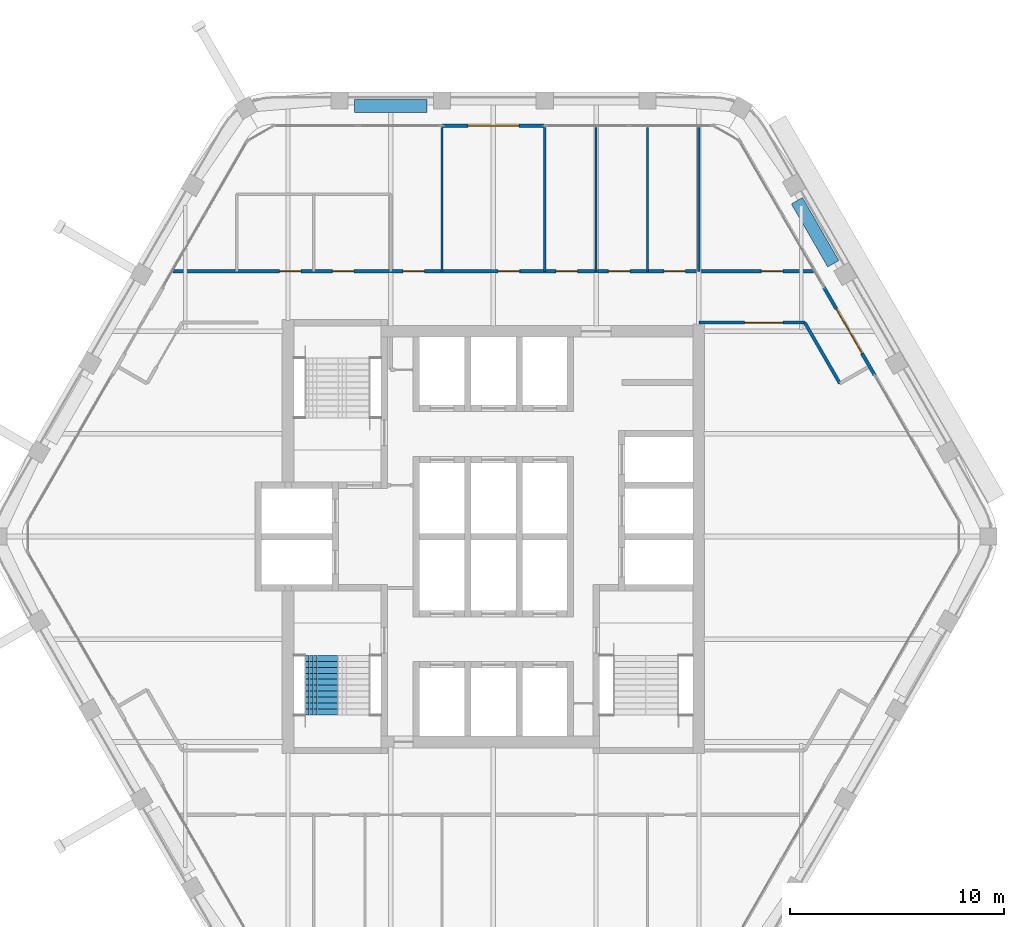
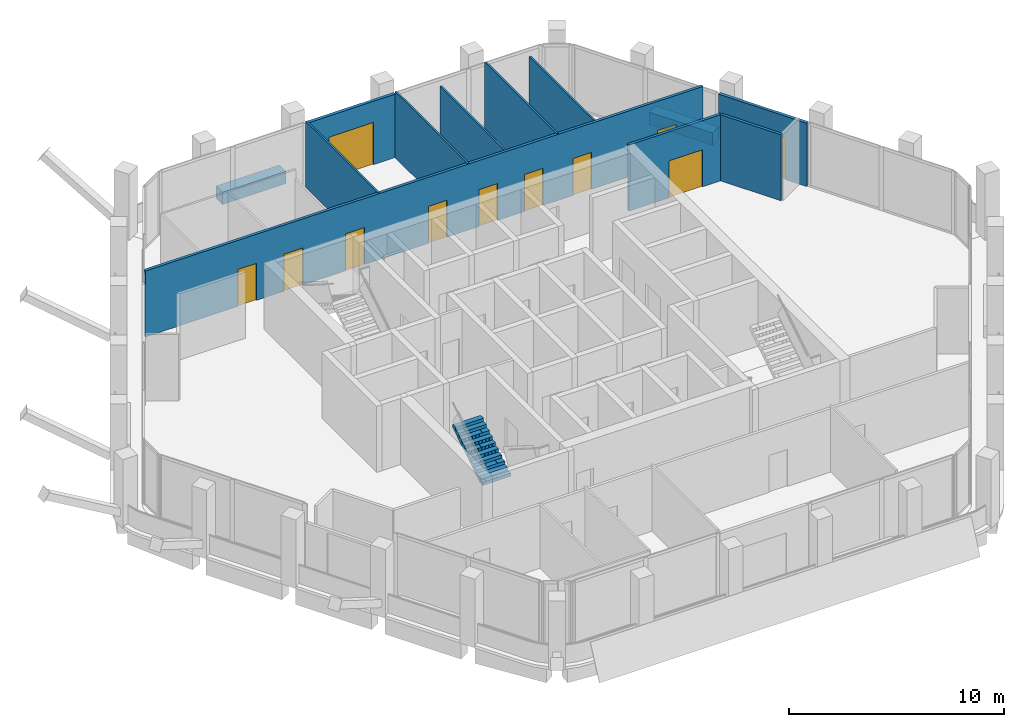
# One storey, part 10 of 14: 12 walls, 11 doors, 1 stair flight, 11 openings, 1 element without a shape of its own.
"""IFC4 building model written with IfcOpenShell, lengths in metres."""

from ifc_helpers import new_model, si_unit, direction, frame, frame_2d, origin, place, context, subcontext, project, spatial, polyline, rectangle, outline, extrude, material, layer, layer_set, type_object, element, fill, aggregate, save


model = new_model("IFC4")

# Units and contexts
model_context = context("Model", 3, precision=1e-05, world=origin(), true_north=direction((0.0, 1.0)))
body_context = subcontext(model_context, "Body", "Model", "MODEL_VIEW")
ifc_project = project(units=[si_unit("LENGTHUNIT", "METRE"), si_unit("AREAUNIT", "SQUARE_METRE"), si_unit("VOLUMEUNIT", "CUBIC_METRE"), si_unit("PLANEANGLEUNIT", "RADIAN"), si_unit("MASSUNIT", "GRAM", prefix="KILO")], contexts=[model_context])

# Site, building, storey
site_placement = place(None, origin())
site = spatial("IfcSite", under=ifc_project, at=site_placement, CompositionType="ELEMENT")
building_placement = place(site_placement, origin())
building = spatial("IfcBuilding", under=site, at=building_placement, Name="Kolab Exchange Tower", CompositionType="ELEMENT")
storey_placement = place(building_placement, frame((0.0, 0.0, 234.5)))
storey = spatial("IfcBuildingStorey", under=building, at=storey_placement, Name="L51", CompositionType="ELEMENT", Elevation=234.5)

# Wall, opening, door
ifc_material_1 = material(Name="Aluminium EN AW-6063 T6", Category="aluminium")
ifc_layer_1 = layer(ifc_material_1, 0.159912109375)
ifc_layer_set_1 = layer_set([ifc_layer_1], Name="Aluminium EN AW-6063 T6")
wall_type_1 = type_object("IfcWallType", Name="DOOR SURROUND WALL 160 ALUMINIUM FRAMED", PredefinedType="PARTITIONING", material=ifc_layer_set_1)
wall_1_placement = place(storey_placement, frame((-2.3701171875, 19.20458984375, 0.0), z_axis=(0.0, 0.0, 1.0), x_axis=(1.0, 0.0, 0.0)))
wall_1 = element("IfcWall", 1, at=wall_1_placement, inside=storey, type_object=wall_type_1, Name="Door surround wall", PredefinedType="PARTITIONING", context=body_context, shape_type="SweptSolid", body=[
    extrude(rectangle(XDim=4.740234375, YDim=0.159912109375, at=frame_2d((2.3701171875, 0.0))), origin(), (0.0, 0.0, 1.0), 3.60009765625),
])
opening_1_placement = place(wall_1_placement, frame((1.169921875, 0.0, 0.0)))
opening_1 = element("IfcOpeningElement", 2, at=opening_1_placement, cuts=wall_1, Name="Opening GD1-098", PredefinedType="OPENING", context=body_context, shape_type="SweptSolid", body=[
    extrude(rectangle(XDim=2.39990234375, YDim=2.39990234375, at=frame_2d((1.199951171875, 1.199951171875))), frame((0.0, 0.08984375, 0.0), z_axis=(0.0, -1.0, 0.0), x_axis=(1.0, 0.0, 0.0)), (0.0, 0.0, 1.0), 0.179931640625),
])
door_type_1 = type_object("IfcDoorType", Name="LOGGIA SLIDING GLASS DOOR 2400 X 2400", OperationType="DOUBLE_DOOR_SINGLE_SWING", PredefinedType="DOOR", material=ifc_material_1)
door_1_placement = place(opening_1_placement, origin())
door_1 = element("IfcDoor", 3, at=door_1_placement, inside=storey, type_object=door_type_1, Name="Loggia door", OperationType="DOUBLE_DOOR_SLIDING", OverallHeight=2.39990234375, OverallWidth=2.39990234375, PredefinedType="DOOR", context=body_context, shape_type="SweptSolid", body=[
    extrude(rectangle(XDim=2.39990234375, YDim=2.39990234375, at=frame_2d((1.199951171875, 1.199951171875))), frame((0.0, 0.02490234375, 0.0), z_axis=(0.0, -1.0, 0.0), x_axis=(1.0, 0.0, 0.0)), (0.0, 0.0, 1.0), 0.050048828125),
])
fill(opening_1, door_1)

wall_2_placement = place(storey_placement, frame((15.44677734375, 11.65478515625, 0.0), z_axis=(0.0, 0.0, 1.0), x_axis=(0.499978080042, -0.866038058908, 0.0)))
wall_2 = element("IfcWall", 4, at=wall_2_placement, inside=storey, type_object=wall_type_1, Name="Door surround wall", PredefinedType="PARTITIONING", context=body_context, shape_type="SweptSolid", body=[
    extrude(rectangle(XDim=4.739990234375, YDim=0.159912109375, at=frame_2d((2.3701171875, 0.0))), origin(), (0.0, 0.0, 1.0), 3.60009765625),
])
opening_2_placement = place(wall_2_placement, frame((1.169921875, 0.0, 0.0)))
opening_2 = element("IfcOpeningElement", 5, at=opening_2_placement, cuts=wall_2, Name="Opening GD1-099", PredefinedType="OPENING", context=body_context, shape_type="SweptSolid", body=[
    extrude(rectangle(XDim=2.39990234375, YDim=2.39990234375, at=frame_2d((1.199951171875, 1.199951171875))), frame((0.0, 0.08984375, 0.0), z_axis=(0.0, -1.0, 0.0), x_axis=(1.0, 0.0, 0.0)), (0.0, 0.0, 1.0), 0.179931640625),
])
door_2_placement = place(opening_2_placement, origin())
door_2 = element("IfcDoor", 6, at=door_2_placement, inside=storey, type_object=door_type_1, Name="Loggia door", OperationType="DOUBLE_DOOR_SLIDING", OverallHeight=2.39990234375, OverallWidth=2.39990234375, PredefinedType="DOOR", context=body_context, shape_type="SweptSolid", body=[
    extrude(rectangle(XDim=2.39990234375, YDim=2.39990234375, at=frame_2d((1.199951171875, 1.199951171875))), frame((0.0, 0.02490234375, 0.0), z_axis=(0.0, -1.0, 0.0), x_axis=(1.0, 0.0, 0.0)), (0.0, 0.0, 1.0), 0.050048828125),
])
fill(opening_2, door_2)

# Walls
ifc_material_2 = material(Name="Gypsum board", Category="gypsum")
ifc_layer_2 = layer(ifc_material_2, 0.10009765625)
ifc_layer_set_2 = layer_set([ifc_layer_2], Name="Gypsum board")
wall_type_2 = type_object("IfcWallType", Name="PARTITION 100", PredefinedType="PARTITIONING", material=ifc_layer_set_2)
wall_3_placement = place(storey_placement, frame((9.60009765625, 12.39990234375, 0.0), z_axis=(0.0, 0.0, 1.0), x_axis=(0.0, 1.0, 0.0)))
element("IfcWall", 7, at=wall_3_placement, inside=storey, type_object=wall_type_2, Name="Partition 000", PredefinedType="PARTITIONING", context=body_context, shape_type="SweptSolid", body=[
    extrude(rectangle(XDim=6.714599609375, YDim=0.10009765625, at=frame_2d((3.357421875, 0.0))), origin(), (0.0, 0.0, 1.0), 3.217041015625),
])
wall_4_placement = place(storey_placement, frame((7.199951171875, 12.39990234375, 0.0), z_axis=(0.0, 0.0, 1.0), x_axis=(0.0, 1.0, 0.0)))
element("IfcWall", 8, at=wall_4_placement, inside=storey, type_object=wall_type_2, Name="Partition 002", PredefinedType="PARTITIONING", context=body_context, shape_type="SweptSolid", body=[
    extrude(rectangle(XDim=6.714599609375, YDim=0.10009765625, at=frame_2d((3.357421875, 0.0))), origin(), (0.0, 0.0, 1.0), 3.75),
])
wall_5_placement = place(storey_placement, frame((4.800048828125, 12.39990234375, 0.0), z_axis=(0.0, 0.0, 1.0), x_axis=(0.0, 1.0, 0.0)))
element("IfcWall", 9, at=wall_5_placement, inside=storey, type_object=wall_type_2, Name="Partition 003", PredefinedType="PARTITIONING", context=body_context, shape_type="SweptSolid", body=[
    extrude(rectangle(XDim=6.714599609375, YDim=0.10009765625, at=frame_2d((3.357421875, 0.0))), origin(), (0.0, 0.0, 1.0), 3.217041015625),
])
for number, where, z_axis, x_axis, name in (
    (10, (2.39990234375, 12.39990234375, 0.0), (0.0, 0.0, 1.0), (0.0, 1.0, 0.0), "Partition 004"),
    (11, (-2.39990234375, 12.39990234375, 0.0), (0.0, 0.0, 1.0), (0.0, 1.0, 0.0), "Partition 006"),
):
    element("IfcWall", number, at=place(storey_placement, frame(where, z_axis=z_axis, x_axis=x_axis)), inside=storey, type_object=wall_type_2, Name=name, PredefinedType="PARTITIONING", context=body_context, shape_type="SweptSolid", body=[
        extrude(rectangle(XDim=6.724609375, YDim=0.10009765625, at=frame_2d((3.3623046875, 0.0))), origin(), (0.0, 0.0, 1.0), 3.75),
    ])
ifc_layer_3 = layer(ifc_material_2, 0.14990234375)
ifc_layer_set_3 = layer_set([ifc_layer_3], Name="Gypsum board")
wall_type_3 = type_object("IfcWallType", Name="PARTITION 150 FIRE-RATED", PredefinedType="PARTITIONING", material=ifc_layer_set_3)
wall_6_placement = place(storey_placement, frame((14.5546875, 10.0, 0.0), z_axis=(0.0, 0.0, 1.0), x_axis=(0.499954196102, -0.866051847062, 0.0)))
element("IfcWall", 12, at=wall_6_placement, inside=storey, type_object=wall_type_3, Name="Partition 014", PredefinedType="PARTITIONING", context=body_context, shape_type="SweptSolid", body=[
    extrude(rectangle(XDim=3.282958984375, YDim=0.14990234375, at=frame_2d((1.6416015625, 0.0))), origin(), (0.0, 0.0, 1.0), 3.75),
])

# Wall, opening, door
wall_7_placement = place(storey_placement, frame((9.60009765625, 10.0, 0.0), z_axis=(0.0, 0.0, 1.0), x_axis=(1.0, 0.0, 0.0)))
wall_7 = element("IfcWall", 13, at=wall_7_placement, inside=storey, type_object=wall_type_3, Name="Partition 028", PredefinedType="PARTITIONING", context=body_context, shape_type="SweptSolid", body=[
    extrude(rectangle(XDim=4.95458984375, YDim=0.14990234375, at=frame_2d((2.477294921875, 0.0))), origin(), (0.0, 0.0, 1.0), 3.75),
])
opening_3_placement = place(wall_7_placement, frame((2.140869140625, 0.0, 0.0)))
opening_3 = element("IfcOpeningElement", 14, at=opening_3_placement, cuts=wall_7, Name="Opening D2-067", PredefinedType="OPENING", context=body_context, shape_type="SweptSolid", body=[
    extrude(rectangle(XDim=1.800048828125, YDim=2.10009765625, at=frame_2d((0.89990234375, 1.050048828125))), frame((0.0, 0.0849609375, 0.0), z_axis=(0.0, -1.0, 0.0), x_axis=(1.0, 0.0, 0.0)), (0.0, 0.0, 1.0), 0.169921875),
])
ifc_material_3 = material(Name="Steel S235", Category="steel")
door_type_2 = type_object("IfcDoorType", Name="DOUBLE DOOR 1800 FD60", OperationType="DOUBLE_DOOR_SINGLE_SWING", PredefinedType="DOOR", material=ifc_material_3)
door_3_placement = place(opening_3_placement, frame((1.800048828125, 0.0, 0.0), z_axis=(0.0, 0.0, 1.0), x_axis=(-1.0, 0.0, 0.0)))
door_3 = element("IfcDoor", 15, at=door_3_placement, inside=storey, type_object=door_type_2, Name="Door L51-042", OperationType="SINGLE_SWING_RIGHT", OverallHeight=2.10009765625, OverallWidth=1.800048828125, PredefinedType="DOOR", context=body_context, shape_type="SweptSolid", body=[
    extrude(rectangle(XDim=1.800048828125, YDim=2.10009765625, at=frame_2d((0.89990234375, 1.050048828125))), frame((0.0, 0.02490234375, 0.0), z_axis=(0.0, -1.0, 0.0), x_axis=(1.0, 0.0, 0.0)), (0.0, 0.0, 1.0), 0.050048828125),
])
fill(opening_3, door_3)

# Wall, openings, doors
wall_8_placement = place(storey_placement, frame((-14.97021484375, 12.39990234375, 0.0), z_axis=(0.0, 0.0, 1.0), x_axis=(1.0, 0.0, 0.0)))
wall_8 = element("IfcWall", 16, at=wall_8_placement, inside=storey, type_object=wall_type_3, Name="Partition 029", PredefinedType="PARTITIONING", context=body_context, shape_type="SweptSolid", body=[
    extrude(rectangle(XDim=29.9404296875, YDim=0.14990234375, at=frame_2d((14.97021484375, 0.0))), origin(), (0.0, 0.0, 1.0), 3.75),
])
opening_4_placement = place(wall_8_placement, frame((4.97021484375, 0.0, 0.0)))
opening_4 = element("IfcOpeningElement", 17, at=opening_4_placement, cuts=wall_8, Name="Opening D1-654", PredefinedType="OPENING", context=body_context, shape_type="SweptSolid", body=[
    extrude(rectangle(XDim=1.0, YDim=2.10009765625, at=frame_2d((0.5, 1.050048828125))), frame((0.0, 0.0849609375, 0.0), z_axis=(0.0, -1.0, 0.0), x_axis=(1.0, 0.0, 0.0)), (0.0, 0.0, 1.0), 0.169921875),
])
opening_5_placement = place(wall_8_placement, frame((7.4453125, 0.0, 0.0)))
opening_5 = element("IfcOpeningElement", 18, at=opening_5_placement, cuts=wall_8, Name="Opening D1-655", PredefinedType="OPENING", context=body_context, shape_type="SweptSolid", body=[
    extrude(rectangle(XDim=1.0, YDim=2.10009765625, at=frame_2d((0.5, 1.050048828125))), frame((0.0, 0.0849609375, 0.0), z_axis=(0.0, -1.0, 0.0), x_axis=(1.0, 0.0, 0.0)), (0.0, 0.0, 1.0), 0.169921875),
])
opening_6_placement = place(wall_8_placement, frame((10.7451171875, 0.0, 0.0)))
opening_6 = element("IfcOpeningElement", 19, at=opening_6_placement, cuts=wall_8, Name="Opening D1-645", PredefinedType="OPENING", context=body_context, shape_type="SweptSolid", body=[
    extrude(rectangle(XDim=1.0, YDim=2.10009765625, at=frame_2d((0.5, 1.050048828125))), frame((0.0, 0.0849609375, 0.0), z_axis=(0.0, -1.0, 0.0), x_axis=(1.0, 0.0, 0.0)), (0.0, 0.0, 1.0), 0.169921875),
])
opening_7_placement = place(wall_8_placement, frame((15.1953125, 0.0, 0.0)))
opening_7 = element("IfcOpeningElement", 20, at=opening_7_placement, cuts=wall_8, Name="Opening D1-656", PredefinedType="OPENING", context=body_context, shape_type="SweptSolid", body=[
    extrude(rectangle(XDim=1.0, YDim=2.10009765625, at=frame_2d((0.5, 1.050048828125))), frame((0.0, 0.0849609375, 0.0), z_axis=(0.0, -1.0, 0.0), x_axis=(1.0, 0.0, 0.0)), (0.0, 0.0, 1.0), 0.169921875),
])
opening_8_placement = place(wall_8_placement, frame((17.895263671875, 0.0, 0.0)))
opening_8 = element("IfcOpeningElement", 21, at=opening_8_placement, cuts=wall_8, Name="Opening D1-647", PredefinedType="OPENING", context=body_context, shape_type="SweptSolid", body=[
    extrude(rectangle(XDim=1.0, YDim=2.10009765625, at=frame_2d((0.5, 1.050048828125))), frame((0.0, 0.0849609375, 0.0), z_axis=(0.0, -1.0, 0.0), x_axis=(1.0, 0.0, 0.0)), (0.0, 0.0, 1.0), 0.169921875),
])
opening_9_placement = place(wall_8_placement, frame((20.34521484375, 0.0, 0.0)))
opening_9 = element("IfcOpeningElement", 22, at=opening_9_placement, cuts=wall_8, Name="Opening D1-657", PredefinedType="OPENING", context=body_context, shape_type="SweptSolid", body=[
    extrude(rectangle(XDim=1.0, YDim=2.10009765625, at=frame_2d((0.5, 1.050048828125))), frame((0.0, 0.0849609375, 0.0), z_axis=(0.0, -1.0, 0.0), x_axis=(1.0, 0.0, 0.0)), (0.0, 0.0, 1.0), 0.169921875),
])
opening_10_placement = place(wall_8_placement, frame((22.9453125, 0.0, 0.0)))
opening_10 = element("IfcOpeningElement", 23, at=opening_10_placement, cuts=wall_8, Name="Opening D1-649", PredefinedType="OPENING", context=body_context, shape_type="SweptSolid", body=[
    extrude(rectangle(XDim=1.0, YDim=2.10009765625, at=frame_2d((0.5, 1.050048828125))), frame((0.0, 0.0849609375, 0.0), z_axis=(0.0, -1.0, 0.0), x_axis=(1.0, 0.0, 0.0)), (0.0, 0.0, 1.0), 0.169921875),
])
opening_11_placement = place(wall_8_placement, frame((27.49658203125, 0.0, 0.0)))
opening_11 = element("IfcOpeningElement", 24, at=opening_11_placement, cuts=wall_8, Name="Opening D1-650", PredefinedType="OPENING", context=body_context, shape_type="SweptSolid", body=[
    extrude(rectangle(XDim=1.0, YDim=2.10009765625, at=frame_2d((0.5, 1.050048828125))), frame((0.0, 0.0849609375, 0.0), z_axis=(0.0, -1.0, 0.0), x_axis=(1.0, 0.0, 0.0)), (0.0, 0.0, 1.0), 0.169921875),
])
door_type_3 = type_object("IfcDoorType", Name="FLUSH DOOR 1000 FD60", OperationType="SINGLE_SWING_LEFT", PredefinedType="DOOR", material=ifc_material_3)
door_4_placement = place(opening_4_placement, origin())
door_4 = element("IfcDoor", 25, at=door_4_placement, inside=storey, type_object=door_type_3, Name="Door L51-029", OperationType="SINGLE_SWING_RIGHT", OverallHeight=2.10009765625, OverallWidth=1.0, PredefinedType="DOOR", context=body_context, shape_type="SweptSolid", body=[
    extrude(rectangle(XDim=1.0, YDim=2.10009765625, at=frame_2d((0.5, 1.050048828125))), frame((0.0, 0.02490234375, 0.0), z_axis=(0.0, -1.0, 0.0), x_axis=(1.0, 0.0, 0.0)), (0.0, 0.0, 1.0), 0.050048828125),
])
fill(opening_4, door_4)
door_5_placement = place(opening_5_placement, origin())
door_5 = element("IfcDoor", 26, at=door_5_placement, inside=storey, type_object=door_type_3, Name="Door L51-030", OperationType="SINGLE_SWING_LEFT", OverallHeight=2.10009765625, OverallWidth=1.0, PredefinedType="DOOR", context=body_context, shape_type="SweptSolid", body=[
    extrude(rectangle(XDim=1.0, YDim=2.10009765625, at=frame_2d((0.5, 1.050048828125))), frame((0.0, 0.02490234375, 0.0), z_axis=(0.0, -1.0, 0.0), x_axis=(1.0, 0.0, 0.0)), (0.0, 0.0, 1.0), 0.050048828125),
])
fill(opening_5, door_5)
door_6_placement = place(opening_6_placement, origin())
door_6 = element("IfcDoor", 27, at=door_6_placement, inside=storey, type_object=door_type_3, Name="Door L51-031", OperationType="SINGLE_SWING_LEFT", OverallHeight=2.10009765625, OverallWidth=1.0, PredefinedType="DOOR", context=body_context, shape_type="SweptSolid", body=[
    extrude(rectangle(XDim=1.0, YDim=2.10009765625, at=frame_2d((0.5, 1.050048828125))), frame((0.0, 0.02490234375, 0.0), z_axis=(0.0, -1.0, 0.0), x_axis=(1.0, 0.0, 0.0)), (0.0, 0.0, 1.0), 0.050048828125),
])
fill(opening_6, door_6)
door_7_placement = place(opening_7_placement, origin())
door_7 = element("IfcDoor", 28, at=door_7_placement, inside=storey, type_object=door_type_3, Name="Door L51-032", OperationType="SINGLE_SWING_RIGHT", OverallHeight=2.10009765625, OverallWidth=1.0, PredefinedType="DOOR", context=body_context, shape_type="SweptSolid", body=[
    extrude(rectangle(XDim=1.0, YDim=2.10009765625, at=frame_2d((0.5, 1.050048828125))), frame((0.0, 0.02490234375, 0.0), z_axis=(0.0, -1.0, 0.0), x_axis=(1.0, 0.0, 0.0)), (0.0, 0.0, 1.0), 0.050048828125),
])
fill(opening_7, door_7)
door_8_placement = place(opening_8_placement, origin())
door_8 = element("IfcDoor", 29, at=door_8_placement, inside=storey, type_object=door_type_3, Name="Door L51-033", OperationType="SINGLE_SWING_LEFT", OverallHeight=2.10009765625, OverallWidth=1.0, PredefinedType="DOOR", context=body_context, shape_type="SweptSolid", body=[
    extrude(rectangle(XDim=1.0, YDim=2.10009765625, at=frame_2d((0.5, 1.050048828125))), frame((0.0, 0.02490234375, 0.0), z_axis=(0.0, -1.0, 0.0), x_axis=(1.0, 0.0, 0.0)), (0.0, 0.0, 1.0), 0.050048828125),
])
fill(opening_8, door_8)
door_9_placement = place(opening_9_placement, origin())
door_9 = element("IfcDoor", 30, at=door_9_placement, inside=storey, type_object=door_type_3, Name="Door L51-034", OperationType="SINGLE_SWING_LEFT", OverallHeight=2.10009765625, OverallWidth=1.0, PredefinedType="DOOR", context=body_context, shape_type="SweptSolid", body=[
    extrude(rectangle(XDim=1.0, YDim=2.10009765625, at=frame_2d((0.5, 1.050048828125))), frame((0.0, 0.02490234375, 0.0), z_axis=(0.0, -1.0, 0.0), x_axis=(1.0, 0.0, 0.0)), (0.0, 0.0, 1.0), 0.050048828125),
])
fill(opening_9, door_9)
door_10_placement = place(opening_10_placement, origin())
door_10 = element("IfcDoor", 31, at=door_10_placement, inside=storey, type_object=door_type_3, Name="Door L51-035", OperationType="SINGLE_SWING_RIGHT", OverallHeight=2.10009765625, OverallWidth=1.0, PredefinedType="DOOR", context=body_context, shape_type="SweptSolid", body=[
    extrude(rectangle(XDim=1.0, YDim=2.10009765625, at=frame_2d((0.5, 1.050048828125))), frame((0.0, 0.02490234375, 0.0), z_axis=(0.0, -1.0, 0.0), x_axis=(1.0, 0.0, 0.0)), (0.0, 0.0, 1.0), 0.050048828125),
])
fill(opening_10, door_10)
door_11_placement = place(opening_11_placement, origin())
door_11 = element("IfcDoor", 32, at=door_11_placement, inside=storey, type_object=door_type_3, Name="Door L51-036", OperationType="SINGLE_SWING_RIGHT", OverallHeight=2.10009765625, OverallWidth=1.0, PredefinedType="DOOR", context=body_context, shape_type="SweptSolid", body=[
    extrude(rectangle(XDim=1.0, YDim=2.10009765625, at=frame_2d((0.5, 1.050048828125))), frame((0.0, 0.02490234375, 0.0), z_axis=(0.0, -1.0, 0.0), x_axis=(1.0, 0.0, 0.0)), (0.0, 0.0, 1.0), 0.050048828125),
])
fill(opening_11, door_11)

# Walls
ifc_material_4 = material(Name="Granite facing", Category="masonry")
ifc_layer_4 = layer(ifc_material_4, 0.0400390625)
ifc_material_5 = material(Name="Concrete C40/50 precast", Category="concrete")
ifc_layer_5 = layer(ifc_material_5, 0.56005859375)
ifc_layer_set_4 = layer_set([ifc_layer_4, ifc_layer_5], Name="Concrete C40/50 precast")
wall_type_4 = type_object("IfcWallType", Name="PLANTER BOX 600 X 700 SOIL DEPTH 550", PredefinedType="USERDEFINED", material=ifc_layer_set_4)
wall_9_placement = place(storey_placement, frame((-6.5, 20.134521484375, 0.0), z_axis=(0.0, 0.0, 1.0), x_axis=(1.0, 0.0, 0.0)))
element("IfcWall", 33, at=wall_9_placement, inside=storey, type_object=wall_type_4, Name="Planter", ObjectType="PLANTER", PredefinedType="USERDEFINED", context=body_context, shape_type="SweptSolid", body=[
    extrude(rectangle(XDim=3.39990234375, YDim=0.60009765625, at=frame_2d((1.699951171875, 0.0))), origin(), (0.0, 0.0, 1.0), 0.699951171875),
])
wall_10_placement = place(storey_placement, frame((14.18701171875, 15.696533203125, 0.0), z_axis=(0.0, 0.0, 1.0), x_axis=(0.499977295307, -0.866038511948, 0.0)))
element("IfcWall", 34, at=wall_10_placement, inside=storey, type_object=wall_type_4, Name="Planter", ObjectType="PLANTER", PredefinedType="USERDEFINED", context=body_context, shape_type="SweptSolid", body=[
    extrude(rectangle(XDim=3.400146484375, YDim=0.60009765625, at=frame_2d((1.7001953125, 0.0))), origin(), (0.0, 0.0, 1.0), 0.699951171875),
])

# Stair, stair flight
ifc_material_6 = material(Name="Concrete C50/60", Category="concrete")
stair_type = type_object("IfcStairType", Name="STAIR ST3 RISER 177.3", PredefinedType="HALF_TURN_STAIR", material=ifc_material_6)
stair_placement = place(storey_placement, origin())
stair = element("IfcStair", 35, at=stair_placement, inside=storey, type_object=stair_type, Name="Stair 3", PredefinedType="HALF_TURN_STAIR")
stair_flight_type = type_object("IfcStairFlightType", Name="STAIR FLIGHT 1500 RISER 177.3", PredefinedType="STRAIGHT", material=ifc_material_6)
stair_flight_placement = place(storey_placement, frame((-8.047607421875, -8.35009765625, 1.949951171875), z_axis=(0.0, 0.0, 1.0), x_axis=(0.0, 1.0, 0.0)))
stair_flight = element("IfcStairFlight", 36, at=stair_flight_placement, type_object=stair_flight_type, Name="ST3 flight 2", NumberOfRisers=11, NumberOfTreads=10, PredefinedType="STRAIGHT", RiserHeight=0.177272727, TreadLength=0.28, context=body_context, shape_type="SweptSolid", body=[
    extrude(outline(polyline([(0.0, 0.0), (0.0, 0.17724609375), (0.280029296875, 0.17724609375), (0.280029296875, 0.3544921875), (0.56005859375, 0.3544921875), (0.56005859375, 0.53173828125), (0.840087890625, 0.53173828125), (0.840087890625, 0.708984375), (1.1201171875, 0.708984375), (1.1201171875, 0.886474609375), (1.39990234375, 0.886474609375), (1.39990234375, 1.063720703125), (1.679931640625, 1.063720703125), (1.679931640625, 1.240966796875), (1.9599609375, 1.240966796875), (1.9599609375, 1.418212890625), (2.239990234375, 1.418212890625), (2.239990234375, 1.595458984375), (2.52001953125, 1.595458984375), (2.52001953125, 1.772705078125), (2.800048828125, 1.772705078125), (2.800048828125, 1.949951171875), (2.800048828125, 1.59521484375), (0.2802734375, 0.0), (0.0, 0.0)])), frame((0.0, 0.75, 0.0), z_axis=(0.0, -1.0, 0.0), x_axis=(1.0, 0.0, 0.0)), (0.0, 0.0, 1.0), 0.185791015625),
    extrude(outline(polyline([(0.0, 0.0), (0.0, 0.17724609375), (0.280029296875, 0.17724609375), (0.280029296875, 0.3544921875), (0.56005859375, 0.3544921875), (0.56005859375, 0.53173828125), (0.840087890625, 0.53173828125), (0.840087890625, 0.708984375), (1.1201171875, 0.708984375), (1.1201171875, 0.886474609375), (1.39990234375, 0.886474609375), (1.39990234375, 1.063720703125), (1.679931640625, 1.063720703125), (1.679931640625, 1.240966796875), (1.9599609375, 1.240966796875), (1.9599609375, 1.418212890625), (2.239990234375, 1.418212890625), (2.239990234375, 1.595458984375), (2.52001953125, 1.595458984375), (2.52001953125, 1.772705078125), (2.800048828125, 1.772705078125), (2.800048828125, 1.949951171875), (2.800048828125, 1.59521484375), (0.2802734375, 0.0), (0.0, 0.0)])), frame((0.0, 0.562255859375, 0.0), z_axis=(0.0, -1.0, 0.0), x_axis=(1.0, 0.0, 0.0)), (0.0, 0.0, 1.0), 0.185791015625),
    extrude(outline(polyline([(0.0, 0.0), (0.0, 0.17724609375), (0.280029296875, 0.17724609375), (0.280029296875, 0.3544921875), (0.56005859375, 0.3544921875), (0.56005859375, 0.53173828125), (0.840087890625, 0.53173828125), (0.840087890625, 0.708984375), (1.1201171875, 0.708984375), (1.1201171875, 0.886474609375), (1.39990234375, 0.886474609375), (1.39990234375, 1.063720703125), (1.679931640625, 1.063720703125), (1.679931640625, 1.240966796875), (1.9599609375, 1.240966796875), (1.9599609375, 1.418212890625), (2.239990234375, 1.418212890625), (2.239990234375, 1.595458984375), (2.52001953125, 1.595458984375), (2.52001953125, 1.772705078125), (2.800048828125, 1.772705078125), (2.800048828125, 1.949951171875), (2.800048828125, 1.59521484375), (0.2802734375, 0.0), (0.0, 0.0)])), frame((0.0, 0.37451171875, 0.0), z_axis=(0.0, -1.0, 0.0), x_axis=(1.0, 0.0, 0.0)), (0.0, 0.0, 1.0), 0.185791015625),
    extrude(outline(polyline([(0.0, 0.0), (0.0, 0.17724609375), (0.280029296875, 0.17724609375), (0.280029296875, 0.3544921875), (0.56005859375, 0.3544921875), (0.56005859375, 0.53173828125), (0.840087890625, 0.53173828125), (0.840087890625, 0.708984375), (1.1201171875, 0.708984375), (1.1201171875, 0.886474609375), (1.39990234375, 0.886474609375), (1.39990234375, 1.063720703125), (1.679931640625, 1.063720703125), (1.679931640625, 1.240966796875), (1.9599609375, 1.240966796875), (1.9599609375, 1.418212890625), (2.239990234375, 1.418212890625), (2.239990234375, 1.595458984375), (2.52001953125, 1.595458984375), (2.52001953125, 1.772705078125), (2.800048828125, 1.772705078125), (2.800048828125, 1.949951171875), (2.800048828125, 1.59521484375), (0.2802734375, 0.0), (0.0, 0.0)])), frame((0.0, 0.186767578125, 0.0), z_axis=(0.0, -1.0, 0.0), x_axis=(1.0, 0.0, 0.0)), (0.0, 0.0, 1.0), 0.185791015625),
    extrude(outline(polyline([(0.0, 0.0), (0.0, 0.17724609375), (0.280029296875, 0.17724609375), (0.280029296875, 0.3544921875), (0.56005859375, 0.3544921875), (0.56005859375, 0.53173828125), (0.840087890625, 0.53173828125), (0.840087890625, 0.708984375), (1.1201171875, 0.708984375), (1.1201171875, 0.886474609375), (1.39990234375, 0.886474609375), (1.39990234375, 1.063720703125), (1.679931640625, 1.063720703125), (1.679931640625, 1.240966796875), (1.9599609375, 1.240966796875), (1.9599609375, 1.418212890625), (2.239990234375, 1.418212890625), (2.239990234375, 1.595458984375), (2.52001953125, 1.595458984375), (2.52001953125, 1.772705078125), (2.800048828125, 1.772705078125), (2.800048828125, 1.949951171875), (2.800048828125, 1.59521484375), (0.2802734375, 0.0), (0.0, 0.0)])), frame((0.0, -0.0009765625, 0.0), z_axis=(0.0, -1.0, 0.0), x_axis=(1.0, 0.0, 0.0)), (0.0, 0.0, 1.0), 0.185791015625),
    extrude(outline(polyline([(0.0, 0.0), (0.0, 0.17724609375), (0.280029296875, 0.17724609375), (0.280029296875, 0.3544921875), (0.56005859375, 0.3544921875), (0.56005859375, 0.53173828125), (0.840087890625, 0.53173828125), (0.840087890625, 0.708984375), (1.1201171875, 0.708984375), (1.1201171875, 0.886474609375), (1.39990234375, 0.886474609375), (1.39990234375, 1.063720703125), (1.679931640625, 1.063720703125), (1.679931640625, 1.240966796875), (1.9599609375, 1.240966796875), (1.9599609375, 1.418212890625), (2.239990234375, 1.418212890625), (2.239990234375, 1.595458984375), (2.52001953125, 1.595458984375), (2.52001953125, 1.772705078125), (2.800048828125, 1.772705078125), (2.800048828125, 1.949951171875), (2.800048828125, 1.59521484375), (0.2802734375, 0.0), (0.0, 0.0)])), frame((0.0, -0.188720703125, 0.0), z_axis=(0.0, -1.0, 0.0), x_axis=(1.0, 0.0, 0.0)), (0.0, 0.0, 1.0), 0.185791015625),
    extrude(outline(polyline([(0.0, 0.0), (0.0, 0.17724609375), (0.280029296875, 0.17724609375), (0.280029296875, 0.3544921875), (0.56005859375, 0.3544921875), (0.56005859375, 0.53173828125), (0.840087890625, 0.53173828125), (0.840087890625, 0.708984375), (1.1201171875, 0.708984375), (1.1201171875, 0.886474609375), (1.39990234375, 0.886474609375), (1.39990234375, 1.063720703125), (1.679931640625, 1.063720703125), (1.679931640625, 1.240966796875), (1.9599609375, 1.240966796875), (1.9599609375, 1.418212890625), (2.239990234375, 1.418212890625), (2.239990234375, 1.595458984375), (2.52001953125, 1.595458984375), (2.52001953125, 1.772705078125), (2.800048828125, 1.772705078125), (2.800048828125, 1.949951171875), (2.800048828125, 1.59521484375), (0.2802734375, 0.0), (0.0, 0.0)])), frame((0.0, -0.37646484375, 0.0), z_axis=(0.0, -1.0, 0.0), x_axis=(1.0, 0.0, 0.0)), (0.0, 0.0, 1.0), 0.185791015625),
    extrude(outline(polyline([(0.0, 0.0), (0.0, 0.17724609375), (0.280029296875, 0.17724609375), (0.280029296875, 0.3544921875), (0.56005859375, 0.3544921875), (0.56005859375, 0.53173828125), (0.840087890625, 0.53173828125), (0.840087890625, 0.708984375), (1.1201171875, 0.708984375), (1.1201171875, 0.886474609375), (1.39990234375, 0.886474609375), (1.39990234375, 1.063720703125), (1.679931640625, 1.063720703125), (1.679931640625, 1.240966796875), (1.9599609375, 1.240966796875), (1.9599609375, 1.418212890625), (2.239990234375, 1.418212890625), (2.239990234375, 1.595458984375), (2.52001953125, 1.595458984375), (2.52001953125, 1.772705078125), (2.800048828125, 1.772705078125), (2.800048828125, 1.949951171875), (2.800048828125, 1.59521484375), (0.2802734375, 0.0), (0.0, 0.0)])), frame((0.0, -0.564208984375, 0.0), z_axis=(0.0, -1.0, 0.0), x_axis=(1.0, 0.0, 0.0)), (0.0, 0.0, 1.0), 0.185791015625),
])
aggregate(stair, [stair_flight])

save(model, "model.ifc")
